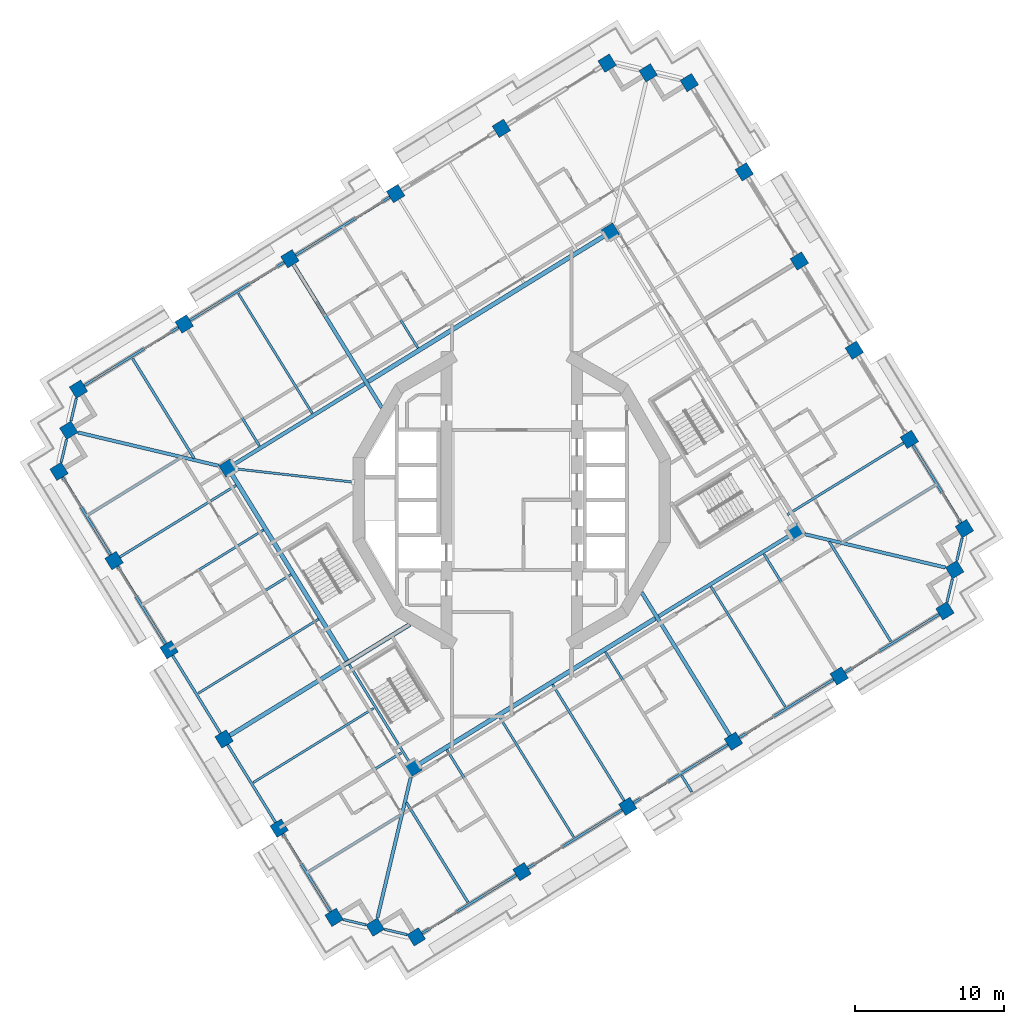
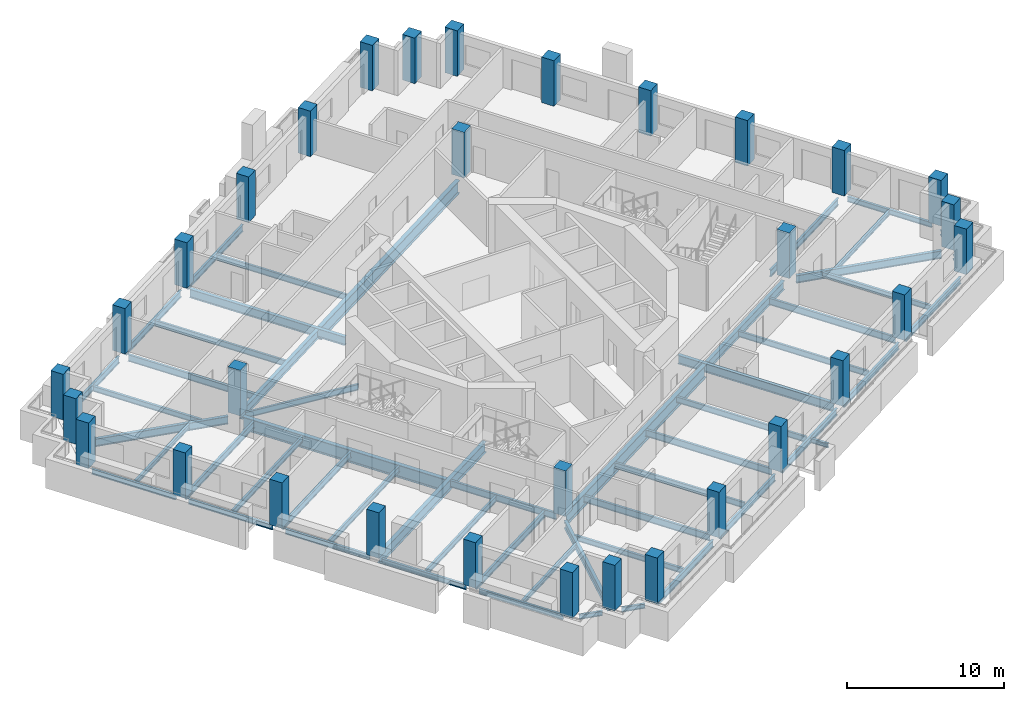
# One storey, part 1 of 20: 56 beams, 32 columns.
"""IFC4 building model written with IfcOpenShell, lengths in metres."""

import ifcopenshell
import ifcopenshell.guid

model = None  # the IFC model being written
_history = None  # IfcOwnerHistory: only IFC2X3 demands one
_inside = {}  # id of a spatial element -> (the spatial element, [elements in it])
_under = {}  # id of a project, library or spatial element -> (it, [spatial elements below it])
_declared = {}  # id of a project -> (the project, [libraries it declares])
_typed = {}  # id of a type object -> (the type object, [elements of that type])
_made_of = {}  # id of a material, layer set ... -> (it, [elements and type objects made of it])


def new_model(schema):
    """Start an empty IFC model of exactly this schema.

    Asked for "IFC4X3", IfcOpenShell would pick the latest addendum, in which some entities
    have other attributes; the version numbers below select the first issue.
    IFC2X3 requires an IfcOwnerHistory on every rooted entity: one is made here for all.
    """
    global model, _history
    if schema == "IFC4X3":
        model = ifcopenshell.file(schema_version=(4, 3, 0, 0))
    else:
        model = ifcopenshell.file(schema=schema)
    _inside.clear()
    _under.clear()
    _declared.clear()
    _typed.clear()
    _made_of.clear()
    _history = None
    if model.schema == "IFC2X3":
        org = make("IfcOrganization", Name="unknown")
        user = make(
            "IfcPersonAndOrganization",
            ThePerson=make("IfcPerson", FamilyName="unknown"),
            TheOrganization=org,
        )
        app = make(
            "IfcApplication",
            ApplicationDeveloper=org,
            Version="unknown",
            ApplicationFullName="unknown",
            ApplicationIdentifier="unknown",
        )
        _history = make(
            "IfcOwnerHistory",
            OwningUser=user,
            OwningApplication=app,
            ChangeAction="ADDED",
            CreationDate=0,
        )
    return model


def make(cls, **values):
    """One entity of the class cls with the attributes given. An attribute that is None is left unset."""
    return model.create_entity(
        cls, **{name: value for name, value in values.items() if value is not None}
    )


def rooted(cls, **values):
    """An entity with a GlobalId (a new one), such as an element, a storey or a relation."""
    return make(cls, GlobalId=ifcopenshell.guid.new(), OwnerHistory=_history, **values)


def si_unit(unit_type, name, prefix=None):
    """IfcSIUnit, for example si_unit("LENGTHUNIT", "METRE", prefix="MILLI")."""
    return make("IfcSIUnit", UnitType=unit_type, Prefix=prefix, Name=name)


def assignment(units):
    """IfcUnitAssignment: the units of a project."""
    return None if units is None else make("IfcUnitAssignment", Units=units)


def point(xyz):
    """IfcCartesianPoint."""
    return None if xyz is None else make("IfcCartesianPoint", Coordinates=xyz)


def direction(xyz):
    """IfcDirection."""
    return None if xyz is None else make("IfcDirection", DirectionRatios=xyz)


def frame(location, z_axis=None, x_axis=None):
    """IfcAxis2Placement3D, a coordinate frame: its origin and axes. An axis left out is left unset."""
    return make(
        "IfcAxis2Placement3D",
        Location=point(location),
        Axis=direction(z_axis),
        RefDirection=direction(x_axis),
    )


def frame_2d(location, x_axis=None):
    """IfcAxis2Placement2D, a coordinate frame in the plane: its origin and x axis."""
    return make(
        "IfcAxis2Placement2D", Location=point(location), RefDirection=direction(x_axis)
    )


def origin():
    """The frame at (0, 0, 0) with its axes left unset."""
    return frame((0.0, 0.0, 0.0))


def origin_2d():
    """The frame at (0, 0) in the plane with its x axis left unset."""
    return frame_2d((0.0, 0.0))


def place(relative_to, where):
    """IfcLocalPlacement: puts the frame where relative to a parent placement (None: the world)."""
    return make(
        "IfcLocalPlacement", PlacementRelTo=relative_to, RelativePlacement=where
    )


def context(
    kind, dimensions, precision=None, world=None, true_north=None, identifier=None
):
    """IfcGeometricRepresentationContext, for example the 3D "Model" context."""
    return make(
        "IfcGeometricRepresentationContext",
        ContextIdentifier=identifier,
        ContextType=kind,
        CoordinateSpaceDimension=dimensions,
        Precision=precision,
        WorldCoordinateSystem=world,
        TrueNorth=true_north,
    )


def subcontext(parent, identifier, kind, view, scale=None):
    """IfcGeometricRepresentationSubContext, for example "Body" below "Model"."""
    return make(
        "IfcGeometricRepresentationSubContext",
        ContextIdentifier=identifier,
        ContextType=kind,
        ParentContext=parent,
        TargetScale=scale,
        TargetView=view,
    )


def project(units=None, contexts=None):
    """IfcProject with its units and contexts."""
    return rooted(
        "IfcProject",
        Name="project",
        RepresentationContexts=contexts,
        UnitsInContext=assignment(units),
    )


def spatial(cls, under=None, at=None, **own):
    """A site, building, storey or space (cls), placed at a placement, below another one or the project."""
    s = rooted(cls, ObjectPlacement=at, **own)
    if under is not None:
        _under.setdefault(under.id(), (under, []))[1].append(s)
    return s


def profile(cls, at=None, kind="AREA", **sizes):
    """A parametric profile (cls). Its sizes go by their IFC names, for example OverallWidth=200.0."""
    return make(cls, ProfileType=kind, Position=at, **sizes)


def rectangle(**sizes):
    """IfcRectangleProfileDef."""
    return profile("IfcRectangleProfileDef", **sizes)


def i_section(**sizes):
    """IfcIShapeProfileDef."""
    return profile("IfcIShapeProfileDef", **sizes)


def extrude(swept, where, along, depth):
    """IfcExtrudedAreaSolid: the profile swept, set in the frame where, extruded along a direction by depth."""
    return make(
        "IfcExtrudedAreaSolid",
        SweptArea=swept,
        Position=where,
        ExtrudedDirection=direction(along),
        Depth=depth,
    )


def shape(context_of_items, identifier, shape_type, items):
    """IfcShapeRepresentation: the items that make up one representation, for example the "Body"."""
    return make(
        "IfcShapeRepresentation",
        ContextOfItems=context_of_items,
        RepresentationIdentifier=identifier,
        RepresentationType=shape_type,
        Items=items,
    )


def material(Name=None, Category=None):
    """IfcMaterial."""
    return make("IfcMaterial", Name=Name, Category=Category)


def material_profile(
    of_material, cross_section, Name=None, Category=None, Priority=None
):
    """IfcMaterialProfile: a cross section and its material."""
    return make(
        "IfcMaterialProfile",
        Name=Name,
        Material=of_material,
        Profile=cross_section,
        Priority=Priority,
        Category=Category,
    )


def profile_set(profiles, Name=None, composite=None):
    """IfcMaterialProfileSet."""
    return make(
        "IfcMaterialProfileSet",
        Name=Name,
        MaterialProfiles=profiles,
        CompositeProfile=composite,
    )


def made_of(thing, what):
    """Note that an element or type object is made of a material, layer set ...; save() writes the relation."""
    if what is not None:
        _made_of.setdefault(what.id(), (what, []))[1].append(thing)
    return thing


def type_object(cls, material=None, **own):
    """A type object (cls), such as IfcWallType, which elements share."""
    return made_of(rooted(cls, **own), material)


def element(
    cls,
    number,
    at=None,
    inside=None,
    cuts=None,
    type_object=None,
    material=None,
    context=None,
    identifier="Body",
    shape_type=None,
    held_by="IfcProductDefinitionShape",
    body=None,
    shapes=None,
    **own,
):
    """One element of the class cls, such as IfcWall. Its Tag is "e" and its number.

    at: its placement. inside: the storey or other place that contains it. cuts: it is an
    opening in that element (IfcRelVoidsElement). A single representation is given by context,
    identifier, shape_type and body (its items); several are given by shapes. held_by: the class
    of the entity that holds the representations. save() writes the other relations.
    """
    e = rooted(cls, Tag="e%d" % number, ObjectPlacement=at, **own)
    if body is not None:
        shapes = [shape(context, identifier, shape_type, body)]
    if shapes is not None:
        e.Representation = make(held_by, Representations=shapes)
    if inside is not None:
        _inside.setdefault(inside.id(), (inside, []))[1].append(e)
    if cuts is not None:
        rooted(
            "IfcRelVoidsElement", RelatingBuildingElement=cuts, RelatedOpeningElement=e
        )
    if type_object is not None:
        _typed.setdefault(type_object.id(), (type_object, []))[1].append(e)
    return made_of(e, material)


def aggregate(whole, parts):
    """IfcRelAggregates: a whole, such as a stair, and the parts it consists of."""
    return rooted("IfcRelAggregates", RelatingObject=whole, RelatedObjects=parts)


def save(model, path):
    """Write the relations noted so far, then the file.

    IfcRelAggregates (storeys below a building ...), IfcRelContainedInSpatialStructure (elements
    in a storey), IfcRelDefinesByType, IfcRelAssociatesMaterial and IfcRelDeclares: one each for
    every whole, place, type object, material and project.
    """
    for whole, parts in _under.values():
        aggregate(whole, parts)
    for where, things in _inside.values():
        rooted(
            "IfcRelContainedInSpatialStructure",
            RelatedElements=things,
            RelatingStructure=where,
        )
    for kind, things in _typed.values():
        rooted("IfcRelDefinesByType", RelatedObjects=things, RelatingType=kind)
    for what, things in _made_of.values():
        rooted("IfcRelAssociatesMaterial", RelatedObjects=things, RelatingMaterial=what)
    for by, libraries in _declared.values():
        rooted("IfcRelDeclares", RelatingContext=by, RelatedDefinitions=libraries)
    model.write(path)


model = new_model("IFC4")

# Units and contexts
model_context = context("Model", 3, precision=1e-05, world=origin(), true_north=direction((0.0, 1.0)))
body_context = subcontext(model_context, "Body", "Model", "MODEL_VIEW")
ifc_project = project(units=[si_unit("LENGTHUNIT", "METRE"), si_unit("AREAUNIT", "SQUARE_METRE"), si_unit("VOLUMEUNIT", "CUBIC_METRE"), si_unit("PLANEANGLEUNIT", "RADIAN"), si_unit("MASSUNIT", "GRAM", prefix="KILO")], contexts=[model_context])

# Site, building, storey
site_placement = place(None, origin())
site = spatial("IfcSite", under=ifc_project, at=site_placement, CompositionType="ELEMENT")
building_placement = place(site_placement, origin())
building = spatial("IfcBuilding", under=site, at=building_placement, Name="Cantera Rosa Tower", CompositionType="ELEMENT")
storey_placement = place(building_placement, frame((0.0, 0.0, 159.0)))
storey = spatial("IfcBuildingStorey", under=building, at=storey_placement, Name="L34", CompositionType="ELEMENT", Elevation=159.0)

# Columns
ifc_material_1 = material(Name="Concrete C60/75", Category="concrete")
ifc_material_profile_1 = material_profile(ifc_material_1, rectangle(XDim=0.89990234375, YDim=0.89990234375, at=origin_2d()), Name="RC COLUMN RC900X900 C60/75")
ifc_profile_set_1 = profile_set([ifc_material_profile_1], Name="Concrete C60/75")
column_type_1 = type_object("IfcColumnType", Name="RC COLUMN RC900X900 C60/75", PredefinedType="COLUMN", material=ifc_profile_set_1)
for number, where, z_axis, x_axis, name in (
    (1, (30.321044921875, -1.917724609375, 0.0), (0.0, 0.0, 1.0), (0.851116672434, 0.52497658034, 0.0), "C-Z3-01 L34"),
    (2, (26.6357421875, 4.05712890625, 0.0), (0.0, 0.0, 1.0), (0.851116672434, 0.52497658034, 0.0), "C-Z3-02 L34"),
    (3, (22.950439453125, 10.031982421875, 0.0), (0.0, 0.0, 1.0), (0.851116672434, 0.52497658034, 0.0), "C-Z3-03 L34"),
    (4, (19.26513671875, 16.0068359375, 0.0), (0.0, 0.0, 1.0), (0.851116672434, 0.52497658034, 0.0), "C-Z3-04 L34"),
    (5, (15.57958984375, 21.981689453125, 0.0), (0.0, 0.0, 1.0), (0.851116672434, 0.52497658034, 0.0), "C-Z3-05 L34"),
    (6, (11.894287109375, 27.95654296875, 0.0), (0.0, 0.0, 1.0), (0.851116672434, 0.52497658034, 0.0), "C-Z3-06 L34"),
    (7, (9.14208984375, 28.60888671875, 0.0), (0.0, 0.0, 1.0), (0.851116672434, 0.52497658034, 0.0), "C-Z3-07 L34"),
    (8, (6.389892578125, 29.260986328125, 0.0), (0.0, 0.0, 1.0), (0.851116672434, 0.52497658034, 0.0), "C-Z3-08 L34"),
    (9, (-0.69140625, 24.893310546875, 0.0), (0.0, 0.0, 1.0), (0.851116672434, 0.52497658034, 0.0), "C-Z3-09 L34"),
    (10, (-7.772705078125, 20.525390625, 0.0), (0.0, 0.0, 1.0), (0.851116672434, 0.52497658034, 0.0), "C-Z3-10 L34"),
    (11, (-14.85400390625, 16.15771484375, 0.0), (0.0, 0.0, 1.0), (0.851116672434, 0.52497658034, 0.0), "C-Z3-11 L34"),
    (12, (-21.935302734375, 11.789794921875, 0.0), (0.0, 0.0, 1.0), (0.851116672434, 0.52497658034, 0.0), "C-Z3-12 L34"),
    (13, (-29.016357421875, 7.422119140625, 0.0), (0.0, 0.0, 1.0), (0.851116672434, 0.52497658034, 0.0), "C-Z3-13 L34"),
    (14, (-29.668701171875, 4.669921875, 0.0), (0.0, 0.0, 1.0), (0.851116672434, 0.52497658034, 0.0), "C-Z3-14 L34"),
    (15, (-30.321044921875, 1.917724609375, 0.0), (0.0, 0.0, 1.0), (0.851116672434, 0.52497658034, 0.0), "C-Z3-15 L34"),
    (16, (-26.6357421875, -4.05712890625, 0.0), (0.0, 0.0, 1.0), (0.851116672434, 0.52497658034, 0.0), "C-Z3-16 L34"),
    (17, (-22.950439453125, -10.031982421875, 0.0), (0.0, 0.0, 1.0), (0.851116672434, 0.52497658034, 0.0), "C-Z3-17 L34"),
    (18, (-19.26513671875, -16.0068359375, 0.0), (0.0, 0.0, 1.0), (0.851116672434, 0.52497658034, 0.0), "C-Z3-18 L34"),
    (19, (-15.57958984375, -21.981689453125, 0.0), (0.0, 0.0, 1.0), (0.851116672434, 0.52497658034, 0.0), "C-Z3-19 L34"),
    (20, (-11.894287109375, -27.95654296875, 0.0), (0.0, 0.0, 1.0), (0.851116672434, 0.52497658034, 0.0), "C-Z3-20 L34"),
    (21, (-9.14208984375, -28.60888671875, 0.0), (0.0, 0.0, 1.0), (0.851116672434, 0.52497658034, 0.0), "C-Z3-21 L34"),
    (22, (-6.389892578125, -29.260986328125, 0.0), (0.0, 0.0, 1.0), (0.851116672434, 0.52497658034, 0.0), "C-Z3-22 L34"),
    (23, (0.69140625, -24.893310546875, 0.0), (0.0, 0.0, 1.0), (0.851116672434, 0.52497658034, 0.0), "C-Z3-23 L34"),
    (24, (7.772705078125, -20.525390625, 0.0), (0.0, 0.0, 1.0), (0.851116672434, 0.52497658034, 0.0), "C-Z3-24 L34"),
    (25, (14.85400390625, -16.15771484375, 0.0), (0.0, 0.0, 1.0), (0.851116672434, 0.52497658034, 0.0), "C-Z3-25 L34"),
    (26, (21.935302734375, -11.789794921875, 0.0), (0.0, 0.0, 1.0), (0.851116672434, 0.52497658034, 0.0), "C-Z3-26 L34"),
    (27, (29.016357421875, -7.422119140625, 0.0), (0.0, 0.0, 1.0), (0.851116672434, 0.52497658034, 0.0), "C-Z3-27 L34"),
    (28, (29.668701171875, -4.669921875, 0.0), (0.0, 0.0, 1.0), (0.851116672434, 0.52497658034, 0.0), "C-Z3-28 L34"),
):
    element("IfcColumn", number, at=place(storey_placement, frame(where, z_axis=z_axis, x_axis=x_axis)), inside=storey, type_object=column_type_1, Name=name, PredefinedType="COLUMN", context=body_context, shape_type="SweptSolid", body=[
        extrude(rectangle(XDim=0.89990234375, YDim=0.89990234375, at=origin_2d()), origin(), (0.0, 0.0, 1.0), 3.550048828125),
    ])
ifc_material_2 = material(Name="Concrete C60/75", Category="concrete")
ifc_material_profile_2 = material_profile(ifc_material_2, rectangle(XDim=0.89990234375, YDim=0.89990234375, at=origin_2d()), Name="RC RING COLUMN RC900X900 C60/75")
ifc_profile_set_2 = profile_set([ifc_material_profile_2], Name="Concrete C60/75")
column_type_2 = type_object("IfcColumnType", Name="RC RING COLUMN RC900X900 C60/75", PredefinedType="COLUMN", material=ifc_profile_set_2)
for number, where, z_axis, x_axis, name in (
    (29, (6.614501953125, 17.944091796875, 0.0), (0.0, 0.0, 1.0), (0.851116672434, 0.52497658034, 0.0), "CI-Z3-1 L34"),
    (30, (-19.004150390625, 2.142333984375, 0.0), (0.0, 0.0, 1.0), (0.851116672434, 0.52497658034, 0.0), "CI-Z3-2 L34"),
    (31, (-6.614501953125, -17.944091796875, 0.0), (0.0, 0.0, 1.0), (0.851116672434, 0.52497658034, 0.0), "CI-Z3-3 L34"),
    (32, (19.004150390625, -2.142333984375, 0.0), (0.0, 0.0, 1.0), (0.851116672434, 0.52497658034, 0.0), "CI-Z3-4 L34"),
):
    element("IfcColumn", number, at=place(storey_placement, frame(where, z_axis=z_axis, x_axis=x_axis)), inside=storey, type_object=column_type_2, Name=name, PredefinedType="COLUMN", context=body_context, shape_type="SweptSolid", body=[
        extrude(rectangle(XDim=0.89990234375, YDim=0.89990234375, at=origin_2d()), origin(), (0.0, 0.0, 1.0), 3.550048828125),
    ])

# Beams
ifc_material_3 = material(Name="Steel ASTM A992 (Fy 345 MPa)", Category="steel")
ifc_material_profile_3 = material_profile(ifc_material_3, i_section(OverallWidth=0.300048828125, OverallDepth=0.990966796875, WebThickness=0.0166015625, FlangeThickness=0.030517578125, FilletRadius=0.030029296875, at=origin_2d()), Name="W1000X272")
ifc_profile_set_3 = profile_set([ifc_material_profile_3], Name="Steel ASTM A992 (Fy 345 MPa)")
beam_type_1 = type_object("IfcBeamType", Name="STEEL BEAM W1000X272", PredefinedType="BEAM", material=ifc_profile_set_3)
beam_1_placement = place(storey_placement, frame((-11.04541015625, -10.7607421875, -0.74560546875), z_axis=(-0.524974072618, 0.851118219215, 0.0), x_axis=(-0.851118219215, -0.524974072618, 0.0)))
element("IfcBeam", 33, at=beam_1_placement, inside=storey, type_object=beam_type_1, Name="RB-Z3-08 L34", PredefinedType="BEAM", context=body_context, shape_type="SweptSolid", body=[
    extrude(i_section(OverallWidth=0.300048828125, OverallDepth=0.990966796875, WebThickness=0.0166015625, FlangeThickness=0.030517578125, FilletRadius=0.030029296875, at=origin_2d()), origin(), (0.0, 0.0, 1.0), 14.7099609375),
])
ifc_material_4 = material(Name="Steel ASTM A992 (Fy 345 MPa)", Category="steel")
ifc_material_profile_4 = material_profile(ifc_material_4, i_section(OverallWidth=0.302001953125, OverallDepth=1.010009765625, WebThickness=0.02099609375, FlangeThickness=0.0400390625, FilletRadius=0.030029296875, at=origin_2d()), Name="W1000X350")
ifc_profile_set_4 = profile_set([ifc_material_profile_4], Name="Steel ASTM A992 (Fy 345 MPa)")
beam_type_2 = type_object("IfcBeamType", Name="STEEL BEAM W1000X350", PredefinedType="BEAM", material=ifc_profile_set_4)
for number, where, z_axis, x_axis, name in (
    (34, (-9.607666015625, 7.93798828125, -0.7548828125), (0.851118702028, 0.524973289852, 0.0), (-0.524973289852, 0.851118702028, 0.0), "RB-Z3-02 L34"),
    (35, (-6.231689453125, -17.707763671875, -0.7548828125), (0.851118702028, 0.524973289852, 0.0), (-0.524973289852, 0.851118702028, 0.0), "RB-Z3-03 L34"),
):
    element("IfcBeam", number, at=place(storey_placement, frame(where, z_axis=z_axis, x_axis=x_axis)), inside=storey, type_object=beam_type_2, Name=name, PredefinedType="BEAM", context=body_context, shape_type="SweptSolid", body=[
        extrude(i_section(OverallWidth=0.302001953125, OverallDepth=1.010009765625, WebThickness=0.02099609375, FlangeThickness=0.0400390625, FilletRadius=0.030029296875, at=origin_2d()), origin(), (0.0, 0.0, 1.0), 18.610107421875),
    ])
ifc_material_5 = material(Name="Steel ASTM A992 (Fy 345 MPa)", Category="steel")
ifc_material_profile_5 = material_profile(ifc_material_5, i_section(OverallWidth=0.154052734375, OverallDepth=0.4599609375, WebThickness=0.009033203125, FlangeThickness=0.015380859375, FilletRadius=0.01025390625, at=origin_2d()), Name="W460X68")
ifc_profile_set_5 = profile_set([ifc_material_profile_5], Name="Steel ASTM A992 (Fy 345 MPa)")
beam_type_3 = type_object("IfcBeamType", Name="STEEL BEAM W460X68", PredefinedType="BEAM", material=ifc_profile_set_5)
beam_2_placement = place(storey_placement, frame((-18.435791015625, 2.078125, -0.47998046875), z_axis=(0.993707483767, -0.11200641368, 0.0), x_axis=(0.11200641368, 0.993707483767, 0.0)))
element("IfcBeam", 36, at=beam_2_placement, inside=storey, type_object=beam_type_3, Name="PG-Z3-01 L34", PredefinedType="BEAM", context=body_context, shape_type="SweptSolid", body=[
    extrude(i_section(OverallWidth=0.154052734375, OverallDepth=0.4599609375, WebThickness=0.009033203125, FlangeThickness=0.015380859375, FilletRadius=0.01025390625, at=origin_2d()), origin(), (0.0, 0.0, 1.0), 7.860107421875),
])
ifc_material_6 = material(Name="Steel ASTM A992 (Fy 345 MPa)", Category="steel")
ifc_material_profile_6 = material_profile(ifc_material_6, i_section(OverallWidth=0.166015625, OverallDepth=0.528076171875, WebThickness=0.009765625, FlangeThickness=0.013671875, FilletRadius=0.0126953125, at=origin_2d()), Name="W530X74")
ifc_profile_set_6 = profile_set([ifc_material_profile_6], Name="Steel ASTM A992 (Fy 345 MPa)")
beam_type_4 = type_object("IfcBeamType", Name="STEEL BEAM W530X74", PredefinedType="BEAM", material=ifc_profile_set_6)
for number, where, z_axis, x_axis, name in (
    (37, (26.252685546875, 3.82080078125, -0.513916015625), (-0.851116426313, -0.524976979362, 0.0), (0.524976979362, -0.851116426313, 0.0), "G-Z3-01 L34"),
    (38, (-21.698974609375, 11.40673828125, -0.513916015625), (0.524976979362, -0.851116426313, 0.0), (0.851116426313, 0.524976979362, 0.0), "G-Z3-08 L34"),
    (39, (0.455078125, -24.51025390625, -0.513916015625), (-0.524976979362, 0.851116426313, 0.0), (-0.851116426313, -0.524976979362, 0.0), "G-Z3-09 L34"),
):
    element("IfcBeam", number, at=place(storey_placement, frame(where, z_axis=z_axis, x_axis=x_axis)), inside=storey, type_object=beam_type_4, Name=name, PredefinedType="BEAM", context=body_context, shape_type="SweptSolid", body=[
        extrude(i_section(OverallWidth=0.166015625, OverallDepth=0.528076171875, WebThickness=0.009765625, FlangeThickness=0.013671875, FilletRadius=0.0126953125, at=origin_2d()), origin(), (0.0, 0.0, 1.0), 9.14990234375),
    ])
beam_3_placement = place(storey_placement, frame((7.536376953125, -20.142578125, -0.513916015625), z_axis=(-0.524965057427, 0.851123779764, 0.0), x_axis=(-0.851123779764, -0.524965057427, 0.0)))
element("IfcBeam", 40, at=beam_3_placement, inside=storey, type_object=beam_type_4, Name="G-Z3-10 L34", PredefinedType="BEAM", context=body_context, shape_type="SweptSolid", body=[
    extrude(i_section(OverallWidth=0.166015625, OverallDepth=0.528076171875, WebThickness=0.009765625, FlangeThickness=0.013671875, FilletRadius=0.0126953125, at=origin_2d()), origin(), (0.0, 0.0, 1.0), 9.150146484375),
])
for number, where, z_axis, x_axis, name in (
    (41, (21.698974609375, -11.40673828125, -0.513916015625), (-0.524976979362, 0.851116426313, 0.0), (-0.851116426313, -0.524976979362, 0.0), "G-Z3-12 L34"),
    (42, (-26.252685546875, -3.82080078125, -0.513916015625), (0.851116426313, 0.524976979362, 0.0), (-0.524976979362, 0.851116426313, 0.0), "G-Z3-13 L34"),
):
    element("IfcBeam", number, at=place(storey_placement, frame(where, z_axis=z_axis, x_axis=x_axis)), inside=storey, type_object=beam_type_4, Name=name, PredefinedType="BEAM", context=body_context, shape_type="SweptSolid", body=[
        extrude(i_section(OverallWidth=0.166015625, OverallDepth=0.528076171875, WebThickness=0.009765625, FlangeThickness=0.013671875, FilletRadius=0.0126953125, at=origin_2d()), origin(), (0.0, 0.0, 1.0), 9.14990234375),
    ])
for number, where, z_axis, x_axis, name in (
    (43, (-22.5673828125, -9.795654296875, -0.513916015625), (0.851123779764, 0.524965057427, 0.0), (-0.524965057427, 0.851123779764, 0.0), "G-Z3-14 L34"),
    (44, (-15.19677734375, -21.745361328125, -0.513916015625), (0.851123779764, 0.524965057427, 0.0), (-0.524965057427, 0.851123779764, 0.0), "G-Z3-16 L34"),
):
    element("IfcBeam", number, at=place(storey_placement, frame(where, z_axis=z_axis, x_axis=x_axis)), inside=storey, type_object=beam_type_4, Name=name, PredefinedType="BEAM", context=body_context, shape_type="SweptSolid", body=[
        extrude(i_section(OverallWidth=0.166015625, OverallDepth=0.528076171875, WebThickness=0.009765625, FlangeThickness=0.013671875, FilletRadius=0.0126953125, at=origin_2d()), origin(), (0.0, 0.0, 1.0), 9.150146484375),
    ])
beam_4_placement = place(storey_placement, frame((-6.850830078125, -17.56103515625, -0.513916015625), z_axis=(-0.52497571981, 0.851117203216, 0.0), x_axis=(-0.851117203216, -0.52497571981, 0.0)))
element("IfcBeam", 45, at=beam_4_placement, inside=storey, type_object=beam_type_4, Name="RB-Z3-07 L34", PredefinedType="BEAM", context=body_context, shape_type="SweptSolid", body=[
    extrude(i_section(OverallWidth=0.166015625, OverallDepth=0.528076171875, WebThickness=0.009765625, FlangeThickness=0.013671875, FilletRadius=0.0126953125, at=origin_2d()), origin(), (0.0, 0.0, 1.0), 7.690185546875),
])
ifc_material_7 = material(Name="Steel ASTM A992 (Fy 345 MPa)", Category="steel")
ifc_material_profile_7 = material_profile(ifc_material_7, i_section(OverallWidth=0.22802734375, OverallDepth=0.60205078125, WebThickness=0.010498046875, FlangeThickness=0.014892578125, FilletRadius=0.0126953125, at=origin_2d()), Name="W610X101")
ifc_profile_set_7 = profile_set([ifc_material_profile_7], Name="Steel ASTM A992 (Fy 345 MPa)")
beam_type_5 = type_object("IfcBeamType", Name="STEEL BEAM W610X101", PredefinedType="BEAM", material=ifc_profile_set_7)
for number, where, z_axis, x_axis, name in (
    (46, (-29.049560546875, 4.523193359375, -0.551025390625), (0.973043389436, -0.230622120091, 0.0), (0.230622120091, 0.973043389436, 0.0), "CB-Z3-02 L34"),
    (47, (-8.995361328125, -27.989501953125, -0.551025390625), (0.230622120091, 0.973043389436, 0.0), (-0.973043389436, 0.230622120091, 0.0), "CB-Z3-03 L34"),
    (48, (29.049560546875, -4.523193359375, -0.551025390625), (-0.973043389436, 0.230622120091, 0.0), (-0.230622120091, -0.973043389436, 0.0), "CB-Z3-04 L34"),
):
    element("IfcBeam", number, at=place(storey_placement, frame(where, z_axis=z_axis, x_axis=x_axis)), inside=storey, type_object=beam_type_5, Name=name, PredefinedType="BEAM", context=body_context, shape_type="SweptSolid", body=[
        extrude(i_section(OverallWidth=0.22802734375, OverallDepth=0.60205078125, WebThickness=0.010498046875, FlangeThickness=0.014892578125, FilletRadius=0.0126953125, at=origin_2d()), origin(), (0.0, 0.0, 1.0), 9.6875),
    ])
ifc_material_8 = material(Name="Steel ASTM A992 (Fy 345 MPa)", Category="steel")
ifc_material_profile_8 = material_profile(ifc_material_8, i_section(OverallWidth=0.25390625, OverallDepth=0.677978515625, WebThickness=0.01171875, FlangeThickness=0.016357421875, FilletRadius=0.01513671875, at=origin_2d()), Name="W690X125")
ifc_profile_set_8 = profile_set([ifc_material_profile_8], Name="Steel ASTM A992 (Fy 345 MPa)")
beam_type_6 = type_object("IfcBeamType", Name="STEEL BEAM W690X125", PredefinedType="BEAM", material=ifc_profile_set_8)
for number, where, z_axis, x_axis, name in (
    (49, (-14.61767578125, 15.774658203125, -0.589111328125), (0.524984160378, -0.85111199695, 0.0), (0.85111199695, 0.524984160378, 0.0), "G-Z3-07 L34"),
    (50, (14.61767578125, -15.774658203125, -0.589111328125), (-0.524984160378, 0.85111199695, 0.0), (-0.85111199695, -0.524984160378, 0.0), "G-Z3-11 L34"),
):
    element("IfcBeam", number, at=place(storey_placement, frame(where, z_axis=z_axis, x_axis=x_axis)), inside=storey, type_object=beam_type_6, Name=name, PredefinedType="BEAM", context=body_context, shape_type="SweptSolid", body=[
        extrude(i_section(OverallWidth=0.25390625, OverallDepth=0.677978515625, WebThickness=0.01171875, FlangeThickness=0.016357421875, FilletRadius=0.01513671875, at=origin_2d()), origin(), (0.0, 0.0, 1.0), 11.271728515625),
    ])
for number, where, z_axis, x_axis, name in (
    (51, (-18.62109375, 2.37841796875, -0.589111328125), (0.851114508358, 0.524980088825, 0.0), (-0.524980088825, 0.851114508358, 0.0), "RB-Z3-01 L34"),
    (52, (9.863037109375, -7.780517578125, -0.589111328125), (0.851114508358, 0.524980088825, 0.0), (-0.524980088825, 0.851114508358, 0.0), "RB-Z3-04 L34"),
):
    element("IfcBeam", number, at=place(storey_placement, frame(where, z_axis=z_axis, x_axis=x_axis)), inside=storey, type_object=beam_type_6, Name=name, PredefinedType="BEAM", context=body_context, shape_type="SweptSolid", body=[
        extrude(i_section(OverallWidth=0.25390625, OverallDepth=0.677978515625, WebThickness=0.01171875, FlangeThickness=0.016357421875, FilletRadius=0.01513671875, at=origin_2d()), origin(), (0.0, 0.0, 1.0), 10.2900390625),
    ])
ifc_material_9 = material(Name="Steel ASTM A992 (Fy 345 MPa)", Category="steel")
ifc_material_profile_9 = material_profile(ifc_material_9, i_section(OverallWidth=0.2919921875, OverallDepth=0.8359375, WebThickness=0.013916015625, FlangeThickness=0.018798828125, FilletRadius=0.017822265625, at=origin_2d()), Name="W840X176")
ifc_profile_set_9 = profile_set([ifc_material_profile_9], Name="Steel ASTM A992 (Fy 345 MPa)")
beam_type_7 = type_object("IfcBeamType", Name="STEEL BEAM W840X176", PredefinedType="BEAM", material=ifc_profile_set_9)
beam_5_placement = place(storey_placement, frame((-18.882080078125, -15.7705078125, -0.66796875), z_axis=(0.8511231456, 0.524966085595, 0.0), x_axis=(-0.524966085595, 0.8511231456, 0.0)))
element("IfcBeam", 53, at=beam_5_placement, inside=storey, type_object=beam_type_7, Name="G-Z3-15 L34", PredefinedType="BEAM", context=body_context, shape_type="SweptSolid", body=[
    extrude(i_section(OverallWidth=0.2919921875, OverallDepth=0.8359375, WebThickness=0.013916015625, FlangeThickness=0.018798828125, FilletRadius=0.017822265625, at=origin_2d()), origin(), (0.0, 0.0, 1.0), 14.17138671875),
])
ifc_material_10 = material(Name="Steel ASTM A992 (Fy 345 MPa)", Category="steel")
ifc_material_profile_10 = material_profile(ifc_material_10, i_section(OverallWidth=0.1708984375, OverallDepth=0.35595703125, WebThickness=0.00732421875, FlangeThickness=0.01171875, FilletRadius=0.010009765625, at=origin_2d()), Name="W360X51")
ifc_profile_set_10 = profile_set([ifc_material_profile_10], Name="Steel ASTM A992 (Fy 345 MPa)")
beam_type_8 = type_object("IfcBeamType", Name="STEEL JOIST W360X51", PredefinedType="JOIST", material=ifc_profile_set_10)
for number, where, z_axis, x_axis, name in (
    (54, (28.3505859375, 0.990966796875, -0.427978515625), (-0.851109089911, -0.524988873283, 0.0), (0.524988873283, -0.851109089911, 0.0), "B-Z3-01 L34"),
    (55, (-28.3505859375, -0.990966796875, -0.427978515625), (0.851109089911, 0.524988873283, 0.0), (-0.524988873283, 0.851109089911, 0.0), "B-Z3-16 L34"),
    (56, (-13.609375, -24.890380859375, -0.427978515625), (0.851109089911, 0.524988873283, 0.0), (-0.524988873283, 0.851109089911, 0.0), "B-Z3-20 L34"),
):
    element("IfcBeam", number, at=place(storey_placement, frame(where, z_axis=z_axis, x_axis=x_axis)), inside=storey, type_object=beam_type_8, Name=name, PredefinedType="JOIST", context=body_context, shape_type="SweptSolid", body=[
        extrude(i_section(OverallWidth=0.1708984375, OverallDepth=0.35595703125, WebThickness=0.00732421875, FlangeThickness=0.01171875, FilletRadius=0.010009765625, at=origin_2d()), origin(), (0.0, 0.0, 1.0), 7.2099609375),
    ])
beam_6_placement = place(storey_placement, frame((11.381591796875, -18.4521484375, -0.427978515625), z_axis=(0.524836157482, -0.851203270552, 0.0), x_axis=(0.851203270552, 0.524836157482, 0.0)))
element("IfcBeam", 57, at=beam_6_placement, inside=storey, type_object=beam_type_8, Name="BS-Z3-08 L34", PredefinedType="JOIST", context=body_context, shape_type="SweptSolid", body=[
    extrude(i_section(OverallWidth=0.1708984375, OverallDepth=0.35595703125, WebThickness=0.00732421875, FlangeThickness=0.01171875, FilletRadius=0.010009765625, at=origin_2d()), origin(), (0.0, 0.0, 1.0), 1.290283203125),
])
ifc_material_11 = material(Name="Steel ASTM A992 (Fy 345 MPa)", Category="steel")
ifc_material_profile_11 = material_profile(ifc_material_11, i_section(OverallWidth=0.177978515625, OverallDepth=0.406005859375, WebThickness=0.0078125, FlangeThickness=0.0126953125, FilletRadius=0.01025390625, at=origin_2d()), Name="W410X60")
ifc_profile_set_11 = profile_set([ifc_material_profile_11], Name="Steel ASTM A992 (Fy 345 MPa)")
beam_type_9 = type_object("IfcBeamType", Name="STEEL JOIST W410X60", PredefinedType="JOIST", material=ifc_profile_set_11)
beam_7_placement = place(storey_placement, frame((-25.39697265625, 9.478271484375, -0.452880859375), z_axis=(0.524972339906, -0.851119287958, 0.0), x_axis=(0.851119287958, 0.524972339906, 0.0)))
element("IfcBeam", 58, at=beam_7_placement, inside=storey, type_object=beam_type_9, Name="B-Z3-10 L34", PredefinedType="JOIST", context=body_context, shape_type="SweptSolid", body=[
    extrude(i_section(OverallWidth=0.177978515625, OverallDepth=0.406005859375, WebThickness=0.0078125, FlangeThickness=0.0126953125, FilletRadius=0.01025390625, at=origin_2d()), origin(), (0.0, 0.0, 1.0), 7.85986328125),
])
beam_8_placement = place(storey_placement, frame((-2.927978515625, -26.949462890625, -0.452880859375), z_axis=(-0.524994840515, 0.85110540912, 0.0), x_axis=(-0.85110540912, -0.524994840515, 0.0)))
element("IfcBeam", 59, at=beam_8_placement, inside=storey, type_object=beam_type_9, Name="B-Z3-11 L34", PredefinedType="JOIST", context=body_context, shape_type="SweptSolid", body=[
    extrude(i_section(OverallWidth=0.177978515625, OverallDepth=0.406005859375, WebThickness=0.0078125, FlangeThickness=0.0126953125, FilletRadius=0.01025390625, at=origin_2d()), origin(), (0.0, 0.0, 1.0), 7.860107421875),
])
beam_9_placement = place(storey_placement, frame((25.39697265625, -9.478271484375, -0.452880859375), z_axis=(-0.524972339906, 0.851119287958, 0.0), x_axis=(-0.851119287958, -0.524972339906, 0.0)))
element("IfcBeam", 60, at=beam_9_placement, inside=storey, type_object=beam_type_9, Name="B-Z3-15 L34", PredefinedType="JOIST", context=body_context, shape_type="SweptSolid", body=[
    extrude(i_section(OverallWidth=0.177978515625, OverallDepth=0.406005859375, WebThickness=0.0078125, FlangeThickness=0.0126953125, FilletRadius=0.01025390625, at=origin_2d()), origin(), (0.0, 0.0, 1.0), 7.85986328125),
])
ifc_material_12 = material(Name="Steel ASTM A992 (Fy 345 MPa)", Category="steel")
ifc_material_profile_12 = material_profile(ifc_material_12, i_section(OverallWidth=0.154052734375, OverallDepth=0.4599609375, WebThickness=0.009033203125, FlangeThickness=0.015380859375, FilletRadius=0.01025390625, at=origin_2d()), Name="W460X68")
ifc_profile_set_12 = profile_set([ifc_material_profile_12], Name="Steel ASTM A992 (Fy 345 MPa)")
beam_type_10 = type_object("IfcBeamType", Name="STEEL JOIST W460X68", PredefinedType="JOIST", material=ifc_profile_set_12)
beam_10_placement = place(storey_placement, frame((-11.234619140625, 18.2138671875, -0.47998046875), z_axis=(0.524992267726, -0.85110699611, 0.0), x_axis=(0.85110699611, 0.524992267726, 0.0)))
element("IfcBeam", 61, at=beam_10_placement, inside=storey, type_object=beam_type_10, Name="B-Z3-08 L34", PredefinedType="JOIST", context=body_context, shape_type="SweptSolid", body=[
    extrude(i_section(OverallWidth=0.154052734375, OverallDepth=0.4599609375, WebThickness=0.009033203125, FlangeThickness=0.015380859375, FilletRadius=0.01025390625, at=origin_2d()), origin(), (0.0, 0.0, 1.0), 9.449951171875),
])
for number, where, z_axis, x_axis, name in (
    (62, (-18.315673828125, 13.84619140625, -0.47998046875), (0.524962009542, -0.851125659663, 0.0), (0.851125659663, 0.524962009542, 0.0), "B-Z3-09 L34"),
    (63, (4.1533203125, -22.581787109375, -0.47998046875), (-0.524980724235, 0.851114116427, 0.0), (-0.851114116427, -0.524980724235, 0.0), "B-Z3-12 L34"),
):
    element("IfcBeam", number, at=place(storey_placement, frame(where, z_axis=z_axis, x_axis=x_axis)), inside=storey, type_object=beam_type_10, Name=name, PredefinedType="JOIST", context=body_context, shape_type="SweptSolid", body=[
        extrude(i_section(OverallWidth=0.154052734375, OverallDepth=0.4599609375, WebThickness=0.009033203125, FlangeThickness=0.015380859375, FilletRadius=0.01025390625, at=origin_2d()), origin(), (0.0, 0.0, 1.0), 9.4501953125),
    ])
beam_11_placement = place(storey_placement, frame((11.234619140625, -18.2138671875, -0.47998046875), z_axis=(-0.524992267726, 0.85110699611, 0.0), x_axis=(-0.85110699611, -0.524992267726, 0.0)))
element("IfcBeam", 64, at=beam_11_placement, inside=storey, type_object=beam_type_10, Name="B-Z3-13 L34", PredefinedType="JOIST", context=body_context, shape_type="SweptSolid", body=[
    extrude(i_section(OverallWidth=0.154052734375, OverallDepth=0.4599609375, WebThickness=0.009033203125, FlangeThickness=0.015380859375, FilletRadius=0.01025390625, at=origin_2d()), origin(), (0.0, 0.0, 1.0), 9.449951171875),
])
beam_12_placement = place(storey_placement, frame((18.315673828125, -13.84619140625, -0.47998046875), z_axis=(-0.524962009542, 0.851125659663, 0.0), x_axis=(-0.851125659663, -0.524962009542, 0.0)))
element("IfcBeam", 65, at=beam_12_placement, inside=storey, type_object=beam_type_10, Name="B-Z3-14 L34", PredefinedType="JOIST", context=body_context, shape_type="SweptSolid", body=[
    extrude(i_section(OverallWidth=0.154052734375, OverallDepth=0.4599609375, WebThickness=0.009033203125, FlangeThickness=0.015380859375, FilletRadius=0.01025390625, at=origin_2d()), origin(), (0.0, 0.0, 1.0), 9.4501953125),
])
for number, where, z_axis, x_axis, name in (
    (66, (-24.665283203125, -6.9658203125, -0.47998046875), (0.851118539758, 0.524973552935, 0.0), (-0.524973552935, 0.851118539758, 0.0), "B-Z3-17 L34"),
    (67, (-20.97998046875, -12.940673828125, -0.47998046875), (0.851118539758, 0.524973552935, 0.0), (-0.524973552935, 0.851118539758, 0.0), "B-Z3-18 L34"),
    (68, (-17.294677734375, -18.91552734375, -0.47998046875), (0.851118539758, 0.524973552935, 0.0), (-0.524973552935, 0.851118539758, 0.0), "B-Z3-19 L34"),
):
    element("IfcBeam", number, at=place(storey_placement, frame(where, z_axis=z_axis, x_axis=x_axis)), inside=storey, type_object=beam_type_10, Name=name, PredefinedType="JOIST", context=body_context, shape_type="SweptSolid", body=[
        extrude(i_section(OverallWidth=0.154052734375, OverallDepth=0.4599609375, WebThickness=0.009033203125, FlangeThickness=0.015380859375, FilletRadius=0.01025390625, at=origin_2d()), origin(), (0.0, 0.0, 1.0), 9.449951171875),
    ])
ifc_material_13 = material(Name="Steel ASTM A992 (Fy 345 MPa)", Category="steel")
ifc_material_profile_13 = material_profile(ifc_material_13, i_section(OverallWidth=0.1708984375, OverallDepth=0.35595703125, WebThickness=0.00732421875, FlangeThickness=0.01171875, FilletRadius=0.010009765625, at=origin_2d()), Name="W360X51")
ifc_profile_set_13 = profile_set([ifc_material_profile_13], Name="Steel ASTM A992 (Fy 345 MPa)")
beam_type_11 = type_object("IfcBeamType", Name="STEEL SPANDREL BEAM W360X51", PredefinedType="SPANDREL", material=ifc_profile_set_13)
for number, where, z_axis, x_axis, name in (
    (69, (-29.163330078125, 6.802734375, -0.427978515625), (-0.230552419793, -0.973059906546, 0.0), (0.973059906546, -0.230552419793, 0.0), "EB-Z3-13 L34"),
    (70, (-29.8154296875, 4.050537109375, -0.427978515625), (-0.230701014544, -0.973024687194, 0.0), (0.973024687194, -0.230701014544, 0.0), "EB-Z3-14 L34"),
    (71, (-11.275146484375, -28.103271484375, -0.427978515625), (0.973059906546, -0.230552419793, 0.0), (0.230552419793, 0.973059906546, 0.0), "EB-Z3-20 L34"),
    (72, (-8.52294921875, -28.755615234375, -0.427978515625), (0.973059906546, -0.230552419793, 0.0), (0.230552419793, 0.973059906546, 0.0), "EB-Z3-21 L34"),
    (73, (29.163330078125, -6.802734375, -0.427978515625), (0.230552419793, 0.973059906546, 0.0), (-0.973059906546, 0.230552419793, 0.0), "EB-Z3-27 L34"),
    (74, (29.8154296875, -4.050537109375, -0.427978515625), (0.230701014544, 0.973024687194, 0.0), (-0.973024687194, 0.230701014544, 0.0), "EB-Z3-28 L34"),
):
    element("IfcBeam", number, at=place(storey_placement, frame(where, z_axis=z_axis, x_axis=x_axis)), inside=storey, type_object=beam_type_11, Name=name, PredefinedType="SPANDREL", context=body_context, shape_type="SweptSolid", body=[
        extrude(i_section(OverallWidth=0.1708984375, OverallDepth=0.35595703125, WebThickness=0.00732421875, FlangeThickness=0.01171875, FilletRadius=0.010009765625, at=origin_2d()), origin(), (0.0, 0.0, 1.0), 1.5556640625),
    ])
ifc_material_14 = material(Name="Steel ASTM A992 (Fy 345 MPa)", Category="steel")
ifc_material_profile_14 = material_profile(ifc_material_14, i_section(OverallWidth=0.177978515625, OverallDepth=0.406005859375, WebThickness=0.0078125, FlangeThickness=0.0126953125, FilletRadius=0.01025390625, at=origin_2d()), Name="W410X60")
ifc_profile_set_14 = profile_set([ifc_material_profile_14], Name="Steel ASTM A992 (Fy 345 MPa)")
beam_type_12 = type_object("IfcBeamType", Name="STEEL SPANDREL BEAM W410X60", PredefinedType="SPANDREL", material=ifc_profile_set_14)
for number, where, z_axis, x_axis, name in (
    (75, (30.084716796875, -1.53466796875, -0.452880859375), (-0.524987447654, 0.851109969279, 0.0), (-0.851109969279, -0.524987447654, 0.0), "EB-Z3-01 L34"),
    (76, (-30.084716796875, 1.53466796875, -0.452880859375), (0.524987447654, -0.851109969279, 0.0), (0.851109969279, 0.524987447654, 0.0), "EB-Z3-15 L34"),
    (77, (-26.3994140625, -4.440185546875, -0.452880859375), (0.524987447654, -0.851109969279, 0.0), (0.851109969279, 0.524987447654, 0.0), "EB-Z3-16 L34"),
    (78, (-22.714111328125, -10.4150390625, -0.452880859375), (0.524987447654, -0.851109969279, 0.0), (0.851109969279, 0.524987447654, 0.0), "EB-Z3-17 L34"),
    (79, (-19.02880859375, -16.389892578125, -0.452880859375), (0.524987447654, -0.851109969279, 0.0), (0.851109969279, 0.524987447654, 0.0), "EB-Z3-18 L34"),
    (80, (-15.343505859375, -22.36474609375, -0.452880859375), (0.524987447654, -0.851109969279, 0.0), (0.851109969279, 0.524987447654, 0.0), "EB-Z3-19 L34"),
):
    element("IfcBeam", number, at=place(storey_placement, frame(where, z_axis=z_axis, x_axis=x_axis)), inside=storey, type_object=beam_type_12, Name=name, PredefinedType="SPANDREL", context=body_context, shape_type="SweptSolid", body=[
        extrude(i_section(OverallWidth=0.177978515625, OverallDepth=0.406005859375, WebThickness=0.0078125, FlangeThickness=0.0126953125, FilletRadius=0.01025390625, at=origin_2d()), origin(), (0.0, 0.0, 1.0), 6.119873046875),
    ])
ifc_material_15 = material(Name="Steel ASTM A992 (Fy 345 MPa)", Category="steel")
ifc_material_profile_15 = material_profile(ifc_material_15, i_section(OverallWidth=0.166015625, OverallDepth=0.528076171875, WebThickness=0.009765625, FlangeThickness=0.013671875, FilletRadius=0.0126953125, at=origin_2d()), Name="W530X74")
ifc_profile_set_15 = profile_set([ifc_material_profile_15], Name="Steel ASTM A992 (Fy 345 MPa)")
beam_type_13 = type_object("IfcBeamType", Name="STEEL SPANDREL BEAM W530X74", PredefinedType="SPANDREL", material=ifc_profile_set_15)
for number, where, z_axis, x_axis, name in (
    (81, (-8.155517578125, 20.289306640625, -0.513916015625), (-0.851111085575, -0.524985637909, 0.0), (0.524985637909, -0.851111085575, 0.0), "EB-Z3-10 L34"),
    (82, (-15.23681640625, 15.92138671875, -0.513916015625), (-0.85112578684, -0.524961803349, 0.0), (0.524961803349, -0.85112578684, 0.0), "EB-Z3-11 L34"),
    (83, (-22.318115234375, 11.5537109375, -0.513916015625), (-0.851111085575, -0.524985637909, 0.0), (0.524985637909, -0.851111085575, 0.0), "EB-Z3-12 L34"),
    (84, (-6.007080078125, -29.02490234375, -0.513916015625), (0.851111085575, 0.524985637909, 0.0), (-0.524985637909, 0.851111085575, 0.0), "EB-Z3-22 L34"),
    (85, (1.07421875, -24.656982421875, -0.513916015625), (0.85112578684, 0.524961803349, 0.0), (-0.524961803349, 0.85112578684, 0.0), "EB-Z3-23 L34"),
    (86, (8.155517578125, -20.289306640625, -0.513916015625), (0.851111085575, 0.524985637909, 0.0), (-0.524985637909, 0.851111085575, 0.0), "EB-Z3-24 L34"),
    (87, (15.23681640625, -15.92138671875, -0.513916015625), (0.85112578684, 0.524961803349, 0.0), (-0.524961803349, 0.85112578684, 0.0), "EB-Z3-25 L34"),
    (88, (22.318115234375, -11.5537109375, -0.513916015625), (0.851111085575, 0.524985637909, 0.0), (-0.524985637909, 0.851111085575, 0.0), "EB-Z3-26 L34"),
):
    element("IfcBeam", number, at=place(storey_placement, frame(where, z_axis=z_axis, x_axis=x_axis)), inside=storey, type_object=beam_type_13, Name=name, PredefinedType="SPANDREL", context=body_context, shape_type="SweptSolid", body=[
        extrude(i_section(OverallWidth=0.166015625, OverallDepth=0.528076171875, WebThickness=0.009765625, FlangeThickness=0.013671875, FilletRadius=0.0126953125, at=origin_2d()), origin(), (0.0, 0.0, 1.0), 7.420166015625),
    ])

save(model, "model.ifc")
